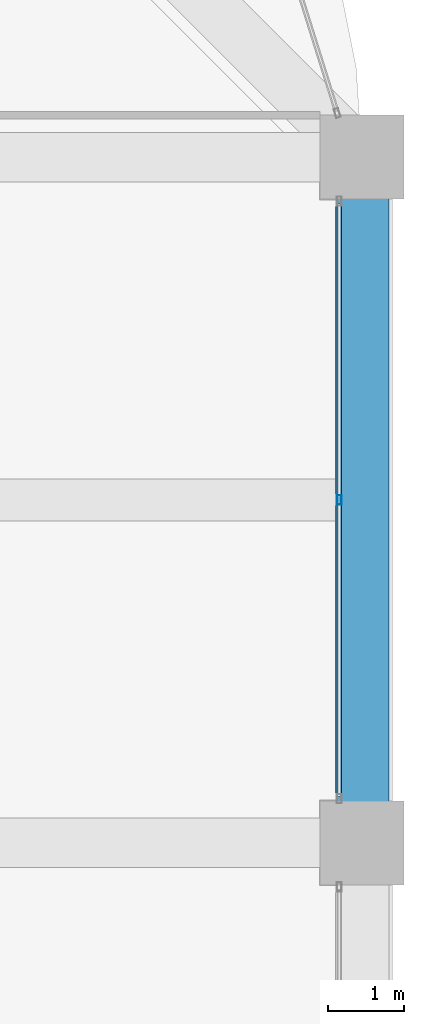
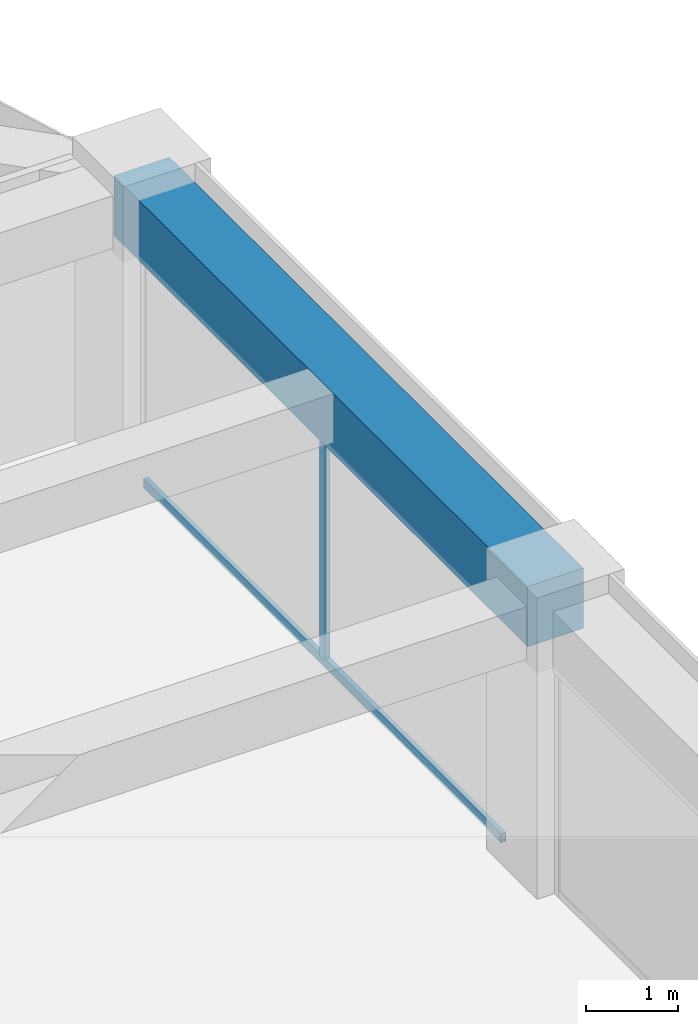
# One storey, part 27 of 44: 2 members, 1 beam, 1 element without a shape of its own.
"""IFC4 building model written with IfcOpenShell, lengths in metres."""

from ifc_helpers import new_model, si_unit, direction, frame, origin, origin_2d, place, context, subcontext, project, spatial, rectangle, hollow_rectangle, extrude, material, material_profile, profile_set, type_object, element, aggregate, save


model = new_model("IFC4")

# Units and contexts
model_context = context("Model", 3, precision=1e-05, world=origin(), true_north=direction((0.0, 1.0)))
body_context = subcontext(model_context, "Body", "Model", "MODEL_VIEW")
ifc_project = project(units=[si_unit("LENGTHUNIT", "METRE"), si_unit("AREAUNIT", "SQUARE_METRE"), si_unit("VOLUMEUNIT", "CUBIC_METRE"), si_unit("PLANEANGLEUNIT", "RADIAN"), si_unit("MASSUNIT", "GRAM", prefix="KILO")], contexts=[model_context])

# Site, building, storey
site_placement = place(None, origin())
site = spatial("IfcSite", under=ifc_project, at=site_placement, CompositionType="ELEMENT")
building_placement = place(site_placement, origin())
building = spatial("IfcBuilding", under=site, at=building_placement, Name="Zorevar Civic Tower", CompositionType="ELEMENT")
storey_placement = place(building_placement, frame((0.0, 0.0, 283.39990234375)))
storey = spatial("IfcBuildingStorey", under=building, at=storey_placement, Name="L69", CompositionType="ELEMENT", Elevation=283.39990234375)

# Curtain wall, members
ifc_material_1 = material(Name="Dark grey solar-control glass in black aluminium frame", Category="aluminium")
curtain_wall_type = type_object("IfcCurtainWallType", Name="Curtain wall CW5 top zone", PredefinedType="NOTDEFINED", material=ifc_material_1)
curtain_wall_placement = place(storey_placement, origin())
curtain_wall = element("IfcCurtainWall", 1, at=curtain_wall_placement, inside=storey, type_object=curtain_wall_type, Name="CW5 L69", PredefinedType="NOTDEFINED")
ifc_material_2 = material(Name="Aluminium, black anodised", Category="aluminium")
ifc_material_profile_1 = material_profile(ifc_material_2, hollow_rectangle(XDim=0.06005859375, YDim=0.1201171875, WallThickness=0.0029296875, at=origin_2d()), Name="AL 120x60x3")
ifc_profile_set_1 = profile_set([ifc_material_profile_1], Name="Aluminium, black anodised")
member_type_1 = type_object("IfcMemberType", Name="CW5 mullion AL 120x60x3", PredefinedType="MULLION", material=ifc_profile_set_1)
member_1_placement = place(storey_placement, frame((53.699951171875, 31.5, 0.06005859375), z_axis=(0.0, 0.0, 1.0), x_axis=(-1.0, 0.0, 0.0)))
member_1 = element("IfcMember", 2, at=member_1_placement, type_object=member_type_1, Name="CW5 mullion 2", PredefinedType="MULLION", context=body_context, shape_type="SweptSolid", body=[
    extrude(hollow_rectangle(XDim=0.06005859375, YDim=0.1201171875, WallThickness=0.0029296875, at=origin_2d()), origin(), (0.0, 0.0, 1.0), 2.89013671875),
])
ifc_material_3 = material(Name="Aluminium, black anodised", Category="aluminium")
ifc_material_profile_2 = material_profile(ifc_material_3, hollow_rectangle(XDim=0.06005859375, YDim=0.1201171875, WallThickness=0.0029296875, at=origin_2d()), Name="AL 120x60x3")
ifc_profile_set_2 = profile_set([ifc_material_profile_2], Name="Aluminium, black anodised")
member_type_2 = type_object("IfcMemberType", Name="CW5 transom AL 120x60x3", PredefinedType="USERDEFINED", material=ifc_profile_set_2)
member_2_placement = place(storey_placement, frame((53.699951171875, 27.610107421875, 0.030029296875), z_axis=(0.0, 1.0, 0.0), x_axis=(-1.0, 0.0, 0.0)))
member_2 = element("IfcMember", 3, at=member_2_placement, type_object=member_type_2, Name="CW5 sill transom", ObjectType="TRANSOM", PredefinedType="USERDEFINED", context=body_context, shape_type="SweptSolid", body=[
    extrude(hollow_rectangle(XDim=0.06005859375, YDim=0.1201171875, WallThickness=0.0029296875, at=origin_2d()), origin(), (0.0, 0.0, 1.0), 7.77978515625),
])
aggregate(curtain_wall, [member_1, member_2])

# Beam
ifc_material_4 = material(Name="Concrete C50/60", Category="concrete")
ifc_material_profile_3 = material_profile(ifc_material_4, rectangle(XDim=0.699951171875, YDim=0.800048828125, at=origin_2d()), Name="RC 700x800")
ifc_profile_set_3 = profile_set([ifc_material_profile_3], Name="Concrete C50/60")
beam_type = type_object("IfcBeamType", Name="Edge beam RC 700x800", PredefinedType="SPANDREL", material=ifc_profile_set_3)
beam_placement = place(storey_placement, frame((54.0, 27.0, 3.35009765625), z_axis=(0.0, 1.0, 0.0), x_axis=(-1.0, 0.0, 0.0)))
element("IfcBeam", 4, at=beam_placement, inside=storey, type_object=beam_type, Name="Edge beam L70", PredefinedType="SPANDREL", context=body_context, shape_type="SweptSolid", body=[
    extrude(rectangle(XDim=0.699951171875, YDim=0.800048828125, at=origin_2d()), origin(), (0.0, 0.0, 1.0), 9.0),
])

save(model, "model.ifc")
